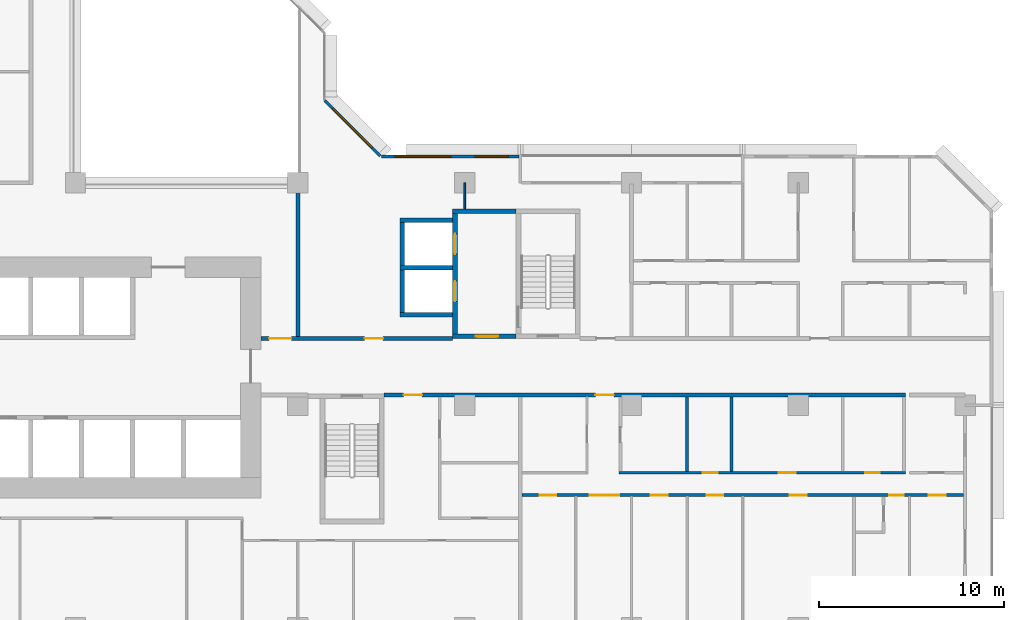
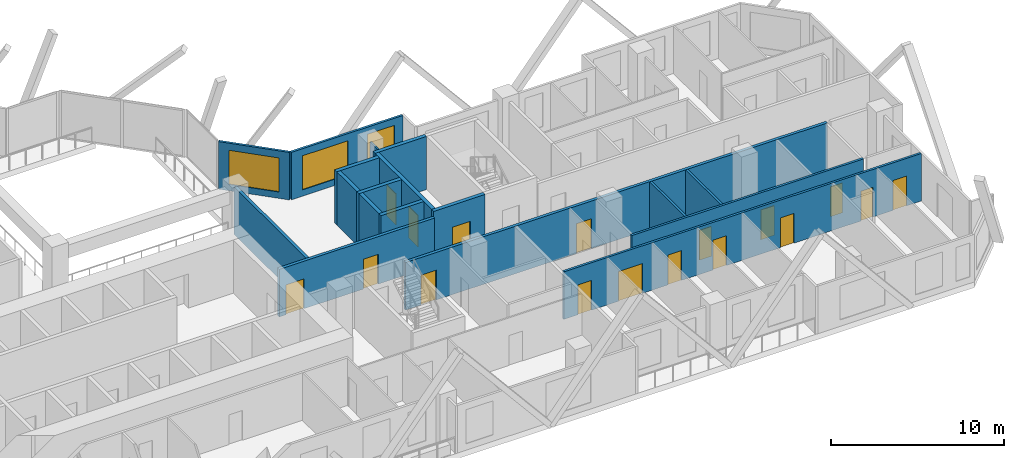
# One storey, part 7 of 16: 18 walls, 17 doors, 3 windows, 20 openings.
"""IFC4 building model written with IfcOpenShell, lengths in metres."""

from ifc_helpers import new_model, si_unit, direction, frame, frame_2d, origin, place, context, subcontext, project, spatial, rectangle, extrude, material, layer, layer_set, type_object, element, fill, save


model = new_model("IFC4")

# Units and contexts
model_context = context("Model", 3, precision=1e-05, world=origin(), true_north=direction((0.0, 1.0)))
body_context = subcontext(model_context, "Body", "Model", "MODEL_VIEW")
ifc_project = project(units=[si_unit("LENGTHUNIT", "METRE"), si_unit("AREAUNIT", "SQUARE_METRE"), si_unit("VOLUMEUNIT", "CUBIC_METRE"), si_unit("PLANEANGLEUNIT", "RADIAN"), si_unit("MASSUNIT", "GRAM", prefix="KILO")], contexts=[model_context])

# Site, building, storey
site_placement = place(None, origin())
site = spatial("IfcSite", under=ifc_project, at=site_placement, CompositionType="ELEMENT")
building_placement = place(site_placement, origin())
building = spatial("IfcBuilding", under=site, at=building_placement, Name="Chenar Terraces", CompositionType="ELEMENT")
storey_placement = place(building_placement, frame((0.0, 0.0, 78.89990234375)))
storey = spatial("IfcBuildingStorey", under=building, at=storey_placement, Name="L17", CompositionType="ELEMENT", Elevation=78.89990234375)

# Wall, opening, door
ifc_material_1 = material(Name="Concrete C70/85", Category="concrete")
ifc_layer_1 = layer(ifc_material_1, 0.25)
ifc_layer_set_1 = layer_set([ifc_layer_1], Name="Concrete C70/85")
wall_type_1 = type_object("IfcWallType", Name="Core wall 250 Concrete C70/85", PredefinedType="SHEAR", material=ifc_layer_set_1)
wall_1_placement = place(storey_placement, frame((44.35009765625, 15.72509765625, 0.0), z_axis=(0.0, 0.0, 1.0), x_axis=(1.0, 0.0, 0.0)))
wall_1 = element("IfcWall", 1, at=wall_1_placement, inside=storey, type_object=wall_type_1, Name="Core wall F3_LS L17", PredefinedType="SHEAR", context=body_context, shape_type="SweptSolid", body=[
    extrude(rectangle(XDim=3.4248046875, YDim=0.25, at=frame_2d((1.71240234375, 0.0))), origin(), (0.0, 0.0, 1.0), 3.75),
])
opening_1_placement = place(wall_1_placement, frame((1.25, 0.0, 0.0)))
opening_1 = element("IfcOpeningElement", 2, at=opening_1_placement, cuts=wall_1, Name="Opening DL17-C10", PredefinedType="OPENING", context=body_context, shape_type="SweptSolid", body=[
    extrude(rectangle(XDim=1.199951171875, YDim=2.199951171875, at=frame_2d((0.60009765625, 1.10009765625))), frame((0.0, 0.135009765625, 0.0), z_axis=(0.0, -1.0, 0.0), x_axis=(1.0, 0.0, 0.0)), (0.0, 0.0, 1.0), 0.27001953125),
])
ifc_material_2 = material(Name="Steel-framed fire-resisting door leaf", Category="steel")
door_type_1 = type_object("IfcDoorType", Name="Lobby fire door FD60 1200 x 2200", OperationType="SINGLE_SWING_LEFT", PredefinedType="DOOR", material=ifc_material_2)
door_1_placement = place(opening_1_placement, origin())
door_1 = element("IfcDoor", 3, at=door_1_placement, inside=storey, type_object=door_type_1, Name="Core door DL17-C10", OperationType="SINGLE_SWING_RIGHT", OverallHeight=2.199951171875, OverallWidth=1.199951171875, PredefinedType="DOOR", context=body_context, shape_type="SweptSolid", body=[
    extrude(rectangle(XDim=1.199951171875, YDim=2.199951171875, at=frame_2d((0.60009765625, 1.10009765625))), frame((0.0, 0.02490234375, 0.0), z_axis=(0.0, -1.0, 0.0), x_axis=(1.0, 0.0, 0.0)), (0.0, 0.0, 1.0), 0.050048828125),
])
fill(opening_1, door_1)

# Wall
wall_2_placement = place(storey_placement, frame((44.35009765625, 22.47509765625, 0.0), z_axis=(0.0, 0.0, 1.0), x_axis=(1.0, 0.0, 0.0)))
element("IfcWall", 4, at=wall_2_placement, inside=storey, type_object=wall_type_1, Name="Core wall F3_LN L17", PredefinedType="SHEAR", context=body_context, shape_type="SweptSolid", body=[
    extrude(rectangle(XDim=3.4248046875, YDim=0.25, at=frame_2d((1.71240234375, 0.0))), origin(), (0.0, 0.0, 1.0), 3.75),
])

# Wall, openings, doors
wall_3_placement = place(storey_placement, frame((44.47509765625, 15.85009765625, 0.0), z_axis=(0.0, 0.0, 1.0), x_axis=(0.0, 1.0, 0.0)))
wall_3 = element("IfcWall", 5, at=wall_3_placement, inside=storey, type_object=wall_type_1, Name="Core wall F3_LW L17", PredefinedType="SHEAR", context=body_context, shape_type="SweptSolid", body=[
    extrude(rectangle(XDim=6.5, YDim=0.25, at=frame_2d((3.25, 0.0))), origin(), (0.0, 0.0, 1.0), 3.75),
])
opening_2_placement = place(wall_3_placement, frame((1.75, 0.0, 0.0)))
opening_2 = element("IfcOpeningElement", 6, at=opening_2_placement, cuts=wall_3, Name="Opening DL17-LD8", PredefinedType="OPENING", context=body_context, shape_type="SweptSolid", body=[
    extrude(rectangle(XDim=1.10009765625, YDim=2.199951171875, at=frame_2d((0.550048828125, 1.10009765625))), frame((0.0, 0.135009765625, 0.0), z_axis=(0.0, -1.0, 0.0), x_axis=(1.0, 0.0, 0.0)), (0.0, 0.0, 1.0), 0.27001953125),
])
opening_3_placement = place(wall_3_placement, frame((4.300048828125, 0.0, 0.0)))
opening_3 = element("IfcOpeningElement", 7, at=opening_3_placement, cuts=wall_3, Name="Opening DL17-LD9", PredefinedType="OPENING", context=body_context, shape_type="SweptSolid", body=[
    extrude(rectangle(XDim=1.10009765625, YDim=2.199951171875, at=frame_2d((0.550048828125, 1.10009765625))), frame((0.0, 0.135009765625, 0.0), z_axis=(0.0, -1.0, 0.0), x_axis=(1.0, 0.0, 0.0)), (0.0, 0.0, 1.0), 0.27001953125),
])
ifc_material_3 = material(Name="Stainless steel", Category="steel")
door_type_2 = type_object("IfcDoorType", Name="Lift landing door 1100 x 2200 sliding", OperationType="DOUBLE_DOOR_SLIDING", PredefinedType="DOOR", material=ifc_material_3)
door_2_placement = place(opening_2_placement, origin())
door_2 = element("IfcDoor", 8, at=door_2_placement, inside=storey, type_object=door_type_2, Name="Landing door F3", OperationType="DOUBLE_DOOR_SLIDING", OverallHeight=2.199951171875, OverallWidth=1.10009765625, PredefinedType="DOOR", context=body_context, shape_type="SweptSolid", body=[
    extrude(rectangle(XDim=1.10009765625, YDim=2.199951171875, at=frame_2d((0.550048828125, 1.10009765625))), frame((0.0, 0.02490234375, 0.0), z_axis=(0.0, -1.0, 0.0), x_axis=(1.0, 0.0, 0.0)), (0.0, 0.0, 1.0), 0.050048828125),
])
fill(opening_2, door_2)
door_3_placement = place(opening_3_placement, origin())
door_3 = element("IfcDoor", 9, at=door_3_placement, inside=storey, type_object=door_type_2, Name="Landing door F4", OperationType="DOUBLE_DOOR_SLIDING", OverallHeight=2.199951171875, OverallWidth=1.10009765625, PredefinedType="DOOR", context=body_context, shape_type="SweptSolid", body=[
    extrude(rectangle(XDim=1.10009765625, YDim=2.199951171875, at=frame_2d((0.550048828125, 1.10009765625))), frame((0.0, 0.02490234375, 0.0), z_axis=(0.0, -1.0, 0.0), x_axis=(1.0, 0.0, 0.0)), (0.0, 0.0, 1.0), 0.050048828125),
])
fill(opening_3, door_3)

# Walls
for number, where, z_axis, x_axis, name in (
    (10, (41.5, 16.875, 0.0), (0.0, 0.0, 1.0), (1.0, 0.0, 0.0), "Core wall F3_SS L17"),
    (11, (41.5, 19.425048828125, 0.0), (0.0, 0.0, 1.0), (1.0, 0.0, 0.0), "Core wall F3_SM L17"),
    (12, (41.5, 21.97509765625, 0.0), (0.0, 0.0, 1.0), (1.0, 0.0, 0.0), "Core wall F4_SN L17"),
):
    element("IfcWall", number, at=place(storey_placement, frame(where, z_axis=z_axis, x_axis=x_axis)), inside=storey, type_object=wall_type_1, Name=name, PredefinedType="SHEAR", context=body_context, shape_type="SweptSolid", body=[
        extrude(rectangle(XDim=2.85009765625, YDim=0.25, at=frame_2d((1.425048828125, 0.0))), origin(), (0.0, 0.0, 1.0), 3.75),
    ])
for number, where, z_axis, x_axis, name in (
    (13, (41.625, 17.0, 0.0), (0.0, 0.0, 1.0), (0.0, 1.0, 0.0), "Core wall F3_SW L17"),
    (14, (41.625, 19.550048828125, 0.0), (0.0, 0.0, 1.0), (0.0, 1.0, 0.0), "Core wall F4_SW L17"),
):
    element("IfcWall", number, at=place(storey_placement, frame(where, z_axis=z_axis, x_axis=x_axis)), inside=storey, type_object=wall_type_1, Name=name, PredefinedType="SHEAR", context=body_context, shape_type="SweptSolid", body=[
        extrude(rectangle(XDim=2.300048828125, YDim=0.25, at=frame_2d((1.14990234375, 0.0))), origin(), (0.0, 0.0, 1.0), 3.75),
    ])

# Wall, openings, doors
ifc_material_4 = material(Name="Gypsum board on steel studs with fire boards", Category="steel")
ifc_layer_2 = layer(ifc_material_4, 0.199951171875)
ifc_layer_set_2 = layer_set([ifc_layer_2], Name="Gypsum board on steel studs with fire boards")
wall_type_2 = type_object("IfcWallType", Name="Corridor wall 200", PredefinedType="PARTITIONING", material=ifc_layer_set_2)
wall_4_placement = place(storey_placement, frame((34.0, 15.60009765625, 0.0), z_axis=(0.0, 0.0, 1.0), x_axis=(1.0, 0.0, 0.0)))
wall_4 = element("IfcWall", 15, at=wall_4_placement, inside=storey, type_object=wall_type_2, Name="Partition L17-063", PredefinedType="PARTITIONING", context=body_context, shape_type="SweptSolid", body=[
    extrude(rectangle(XDim=10.35009765625, YDim=0.199951171875, at=frame_2d((5.175048828125, 0.0))), origin(), (0.0, 0.0, 1.0), 3.35009765625),
])
opening_4_placement = place(wall_4_placement, frame((5.60009765625, 0.0, 0.0)))
opening_4 = element("IfcOpeningElement", 16, at=opening_4_placement, cuts=wall_4, Name="Opening DL17-3", PredefinedType="OPENING", context=body_context, shape_type="SweptSolid", body=[
    extrude(rectangle(XDim=1.0, YDim=2.10009765625, at=frame_2d((0.5, 1.050048828125))), frame((0.0, 0.10986328125, 0.0), z_axis=(0.0, -1.0, 0.0), x_axis=(1.0, 0.0, 0.0)), (0.0, 0.0, 1.0), 0.219970703125),
])
opening_5_placement = place(wall_4_placement, frame((0.449951171875, 0.0, 0.0)))
opening_5 = element("IfcOpeningElement", 17, at=opening_5_placement, cuts=wall_4, Name="Opening DL17-52", PredefinedType="OPENING", context=body_context, shape_type="SweptSolid", body=[
    extrude(rectangle(XDim=1.199951171875, YDim=2.10009765625, at=frame_2d((0.60009765625, 1.050048828125))), frame((0.0, 0.10986328125, 0.0), z_axis=(0.0, -1.0, 0.0), x_axis=(1.0, 0.0, 0.0)), (0.0, 0.0, 1.0), 0.219970703125),
])
ifc_material_5 = material(Name="Steel-framed fire-resisting door leaf", Category="steel")
door_type_3 = type_object("IfcDoorType", Name="Fire door FD60 1000 x 2100", OperationType="SINGLE_SWING_LEFT", PredefinedType="DOOR", material=ifc_material_5)
door_4_placement = place(opening_4_placement, origin())
door_4 = element("IfcDoor", 18, at=door_4_placement, inside=storey, type_object=door_type_3, Name="Door DL17-3", OperationType="SINGLE_SWING_RIGHT", OverallHeight=2.10009765625, OverallWidth=1.0, PredefinedType="DOOR", context=body_context, shape_type="SweptSolid", body=[
    extrude(rectangle(XDim=1.0, YDim=2.10009765625, at=frame_2d((0.5, 1.050048828125))), frame((0.0, 0.02490234375, 0.0), z_axis=(0.0, -1.0, 0.0), x_axis=(1.0, 0.0, 0.0)), (0.0, 0.0, 1.0), 0.050048828125),
])
fill(opening_4, door_4)
ifc_material_6 = material(Name="Steel-framed fire-resisting door leaf", Category="steel")
door_type_4 = type_object("IfcDoorType", Name="Fire door FD60 1200 x 2100", OperationType="SINGLE_SWING_LEFT", PredefinedType="DOOR", material=ifc_material_6)
door_5_placement = place(opening_5_placement, origin())
door_5 = element("IfcDoor", 19, at=door_5_placement, inside=storey, type_object=door_type_4, Name="Door DL17-52", OperationType="SINGLE_SWING_RIGHT", OverallHeight=2.10009765625, OverallWidth=1.199951171875, PredefinedType="DOOR", context=body_context, shape_type="SweptSolid", body=[
    extrude(rectangle(XDim=1.199951171875, YDim=2.10009765625, at=frame_2d((0.60009765625, 1.050048828125))), frame((0.0, 0.02490234375, 0.0), z_axis=(0.0, -1.0, 0.0), x_axis=(1.0, 0.0, 0.0)), (0.0, 0.0, 1.0), 0.050048828125),
])
fill(opening_5, door_5)

# Wall
wall_5_placement = place(storey_placement, frame((36.0, 15.699951171875, 0.0), z_axis=(0.0, 0.0, 1.0), x_axis=(0.0, 1.0, 0.0)))
element("IfcWall", 20, at=wall_5_placement, inside=storey, type_object=wall_type_2, Name="Partition L17-065", PredefinedType="PARTITIONING", context=body_context, shape_type="SweptSolid", body=[
    extrude(rectangle(XDim=8.300048828125, YDim=0.199951171875, at=frame_2d((4.14990234375, 0.0))), origin(), (0.0, 0.0, 1.0), 3.35009765625),
])

# Wall, openings, doors
wall_6_placement = place(storey_placement, frame((40.64990234375, 12.550048828125, 0.0), z_axis=(0.0, 0.0, 1.0), x_axis=(1.0, 0.0, 0.0)))
wall_6 = element("IfcWall", 21, at=wall_6_placement, inside=storey, type_object=wall_type_2, Name="Partition L17-067", PredefinedType="PARTITIONING", context=body_context, shape_type="SweptSolid", body=[
    extrude(rectangle(XDim=28.125, YDim=0.199951171875, at=frame_2d((14.0625, 0.0))), origin(), (0.0, 0.0, 1.0), 3.35009765625),
])
opening_6_placement = place(wall_6_placement, frame((11.39990234375, 0.0, 0.0)))
opening_6 = element("IfcOpeningElement", 22, at=opening_6_placement, cuts=wall_6, Name="Opening DL17-20", PredefinedType="OPENING", context=body_context, shape_type="SweptSolid", body=[
    extrude(rectangle(XDim=1.0, YDim=2.10009765625, at=frame_2d((0.5, 1.050048828125))), frame((0.0, 0.10986328125, 0.0), z_axis=(0.0, -1.0, 0.0), x_axis=(1.0, 0.0, 0.0)), (0.0, 0.0, 1.0), 0.219970703125),
])
opening_7_placement = place(wall_6_placement, frame((1.050048828125, 0.0, 0.0)))
opening_7 = element("IfcOpeningElement", 23, at=opening_7_placement, cuts=wall_6, Name="Opening DL17-66", PredefinedType="OPENING", context=body_context, shape_type="SweptSolid", body=[
    extrude(rectangle(XDim=1.0, YDim=2.10009765625, at=frame_2d((0.5, 1.050048828125))), frame((0.0, 0.10986328125, 0.0), z_axis=(0.0, -1.0, 0.0), x_axis=(1.0, 0.0, 0.0)), (0.0, 0.0, 1.0), 0.219970703125),
])
ifc_material_7 = material(Name="Steel-framed fire-resisting door leaf", Category="steel")
door_type_5 = type_object("IfcDoorType", Name="Fire door FD30S 1000 x 2100", OperationType="SINGLE_SWING_LEFT", PredefinedType="DOOR", material=ifc_material_7)
door_6_placement = place(opening_6_placement, frame((1.0, 0.0, 0.0), z_axis=(0.0, 0.0, 1.0), x_axis=(-1.0, 0.0, 0.0)))
door_6 = element("IfcDoor", 24, at=door_6_placement, inside=storey, type_object=door_type_5, Name="Door DL17-20", OperationType="SINGLE_SWING_LEFT", OverallHeight=2.10009765625, OverallWidth=1.0, PredefinedType="DOOR", context=body_context, shape_type="SweptSolid", body=[
    extrude(rectangle(XDim=1.0, YDim=2.10009765625, at=frame_2d((0.5, 1.050048828125))), frame((0.0, 0.02490234375, 0.0), z_axis=(0.0, -1.0, 0.0), x_axis=(1.0, 0.0, 0.0)), (0.0, 0.0, 1.0), 0.050048828125),
])
fill(opening_6, door_6)
door_7_placement = place(opening_7_placement, origin())
door_7 = element("IfcDoor", 25, at=door_7_placement, inside=storey, type_object=door_type_5, Name="Door DL17-66", OperationType="SINGLE_SWING_RIGHT", OverallHeight=2.10009765625, OverallWidth=1.0, PredefinedType="DOOR", context=body_context, shape_type="SweptSolid", body=[
    extrude(rectangle(XDim=1.0, YDim=2.10009765625, at=frame_2d((0.5, 1.050048828125))), frame((0.0, 0.02490234375, 0.0), z_axis=(0.0, -1.0, 0.0), x_axis=(1.0, 0.0, 0.0)), (0.0, 0.0, 1.0), 0.050048828125),
])
fill(opening_7, door_7)

# Wall, openings, windows
ifc_material_8 = material(Name="Aluminium framed glazing", Category="aluminium")
ifc_layer_3 = layer(ifc_material_8, 0.14990234375)
ifc_layer_set_3 = layer_set([ifc_layer_3], Name="Aluminium framed glazing")
wall_type_3 = type_object("IfcWallType", Name="Glazed flush facade wall 150", PredefinedType="SOLIDWALL", material=ifc_layer_set_3)
wall_7_placement = place(storey_placement, frame((47.925048828125, 25.425048828125, 0.0), z_axis=(0.0, 0.0, 1.0), x_axis=(-1.0, 0.0, 0.0)))
wall_7 = element("IfcWall", 26, at=wall_7_placement, inside=storey, type_object=wall_type_3, Name="Glazed flush facade wall", PredefinedType="SOLIDWALL", context=body_context, shape_type="SweptSolid", body=[
    extrude(rectangle(XDim=7.425048828125, YDim=0.14990234375, at=frame_2d((3.71240234375, 0.0))), origin(), (0.0, 0.0, 1.0), 3.35009765625),
])
opening_8_placement = place(wall_7_placement, frame((0.5625, 0.0, 0.449951171875)))
opening_8 = element("IfcOpeningElement", 27, at=opening_8_placement, cuts=wall_7, Name="Opening W180x240", PredefinedType="OPENING", context=body_context, shape_type="SweptSolid", body=[
    extrude(rectangle(XDim=1.800048828125, YDim=2.39990234375, at=frame_2d((0.89990234375, 1.199951171875))), frame((0.0, 0.0849609375, 0.0), z_axis=(0.0, -1.0, 0.0), x_axis=(1.0, 0.0, 0.0)), (0.0, 0.0, 1.0), 0.169921875),
])
opening_9_placement = place(wall_7_placement, frame((3.675048828125, 0.0, 0.449951171875)))
opening_9 = element("IfcOpeningElement", 28, at=opening_9_placement, cuts=wall_7, Name="Opening W300x240", PredefinedType="OPENING", context=body_context, shape_type="SweptSolid", body=[
    extrude(rectangle(XDim=3.0, YDim=2.39990234375, at=frame_2d((1.5, 1.199951171875))), frame((0.0, 0.0849609375, 0.0), z_axis=(0.0, -1.0, 0.0), x_axis=(1.0, 0.0, 0.0)), (0.0, 0.0, 1.0), 0.169921875),
])
ifc_material_9 = material(Name="Low emissivity double glazing, aluminium frame", Category="aluminium")
window_type_1 = type_object("IfcWindowType", Name="Fixed light 1800 x 2400", PartitioningType="SINGLE_PANEL", PredefinedType="WINDOW", material=ifc_material_9)
window_1_placement = place(opening_8_placement, origin())
window_1 = element("IfcWindow", 29, at=window_1_placement, inside=storey, type_object=window_type_1, Name="Window", OverallHeight=2.39990234375, OverallWidth=1.800048828125, PartitioningType="SINGLE_PANEL", PredefinedType="WINDOW", context=body_context, shape_type="SweptSolid", body=[
    extrude(rectangle(XDim=1.800048828125, YDim=2.39990234375, at=frame_2d((0.89990234375, 1.199951171875))), frame((0.0, 0.030029296875, 0.0), z_axis=(0.0, -1.0, 0.0), x_axis=(1.0, 0.0, 0.0)), (0.0, 0.0, 1.0), 0.06005859375),
])
fill(opening_8, window_1)
ifc_material_10 = material(Name="Low emissivity double glazing, aluminium frame", Category="aluminium")
window_type_2 = type_object("IfcWindowType", Name="Fixed light 3000 x 2400", PartitioningType="SINGLE_PANEL", PredefinedType="WINDOW", material=ifc_material_10)
window_2_placement = place(opening_9_placement, origin())
window_2 = element("IfcWindow", 30, at=window_2_placement, inside=storey, type_object=window_type_2, Name="Window", OverallHeight=2.39990234375, OverallWidth=3.0, PartitioningType="SINGLE_PANEL", PredefinedType="WINDOW", context=body_context, shape_type="SweptSolid", body=[
    extrude(rectangle(XDim=3.0, YDim=2.39990234375, at=frame_2d((1.5, 1.199951171875))), frame((0.0, 0.030029296875, 0.0), z_axis=(0.0, -1.0, 0.0), x_axis=(1.0, 0.0, 0.0)), (0.0, 0.0, 1.0), 0.06005859375),
])
fill(opening_9, window_2)

# Wall
ifc_material_11 = material(Name="Gypsum board on steel studs", Category="steel")
ifc_layer_4 = layer(ifc_material_11, 0.10009765625)
ifc_layer_set_4 = layer_set([ifc_layer_4], Name="Gypsum board on steel studs")
wall_type_4 = type_object("IfcWallType", Name="Gypsum partition 100", PredefinedType="PARTITIONING", material=ifc_layer_set_4)
wall_8_placement = place(storey_placement, frame((45.0, 22.60009765625, 0.0), z_axis=(0.0, 0.0, 1.0), x_axis=(0.0, 1.0, 0.0)))
element("IfcWall", 31, at=wall_8_placement, inside=storey, type_object=wall_type_4, Name="Partition L17-071", PredefinedType="PARTITIONING", context=body_context, shape_type="SweptSolid", body=[
    extrude(rectangle(XDim=1.39990234375, YDim=0.10009765625, at=frame_2d((0.699951171875, 0.0))), origin(), (0.0, 0.0, 1.0), 3.35009765625),
])

# Wall, opening, window
ifc_material_12 = material(Name="Terracotta cladding on insulated backing", Category="masonry")
ifc_layer_5 = layer(ifc_material_12, 0.14990234375)
ifc_layer_set_5 = layer_set([ifc_layer_5], Name="Terracotta cladding on insulated backing")
wall_type_5 = type_object("IfcWallType", Name="Terracotta rainscreen wall 150", PredefinedType="SOLIDWALL", material=ifc_layer_set_5)
wall_9_placement = place(storey_placement, frame((40.447021484375, 25.447021484375, 0.0), z_axis=(0.0, 0.0, 1.0), x_axis=(-0.707106781187, 0.707106781187, 0.0)))
wall_9 = element("IfcWall", 32, at=wall_9_placement, inside=storey, type_object=wall_type_5, Name="Terracotta rainscreen wall", PredefinedType="SOLIDWALL", context=body_context, shape_type="SweptSolid", body=[
    extrude(rectangle(XDim=4.24267578125, YDim=0.14990234375, at=frame_2d((2.121337890625, 0.0))), origin(), (0.0, 0.0, 1.0), 3.35009765625),
])
opening_10_placement = place(wall_9_placement, frame((0.621337890625, 0.0, 0.449951171875)))
opening_10 = element("IfcOpeningElement", 33, at=opening_10_placement, cuts=wall_9, Name="Opening W300x240", PredefinedType="OPENING", context=body_context, shape_type="SweptSolid", body=[
    extrude(rectangle(XDim=3.0, YDim=2.39990234375, at=frame_2d((1.5, 1.199951171875))), frame((0.0, 0.0849609375, 0.0), z_axis=(0.0, -1.0, 0.0), x_axis=(1.0, 0.0, 0.0)), (0.0, 0.0, 1.0), 0.169921875),
])
window_3_placement = place(opening_10_placement, origin())
window_3 = element("IfcWindow", 34, at=window_3_placement, inside=storey, type_object=window_type_2, Name="Window", OverallHeight=2.39990234375, OverallWidth=3.0, PartitioningType="SINGLE_PANEL", PredefinedType="WINDOW", context=body_context, shape_type="SweptSolid", body=[
    extrude(rectangle(XDim=3.0, YDim=2.39990234375, at=frame_2d((1.5, 1.199951171875))), frame((0.0, 0.030029296875, 0.0), z_axis=(0.0, -1.0, 0.0), x_axis=(1.0, 0.0, 0.0)), (0.0, 0.0, 1.0), 0.06005859375),
])
fill(opening_10, window_3)

# Wall, openings, doors
ifc_material_13 = material(Name="Moisture-resistant gypsum board on steel studs", Category="steel")
ifc_layer_6 = layer(ifc_material_13, 0.14990234375)
ifc_layer_set_6 = layer_set([ifc_layer_6], Name="Moisture-resistant gypsum board on steel studs")
wall_type_6 = type_object("IfcWallType", Name="Wet-room partition 150", PredefinedType="PARTITIONING", material=ifc_layer_set_6)
wall_10_placement = place(storey_placement, frame((48.10009765625, 7.14990234375, 0.0), z_axis=(0.0, 0.0, 1.0), x_axis=(1.0, 0.0, 0.0)))
wall_10 = element("IfcWall", 35, at=wall_10_placement, inside=storey, type_object=wall_type_6, Name="Partition L17-073", PredefinedType="PARTITIONING", context=body_context, shape_type="SweptSolid", body=[
    extrude(rectangle(XDim=23.825927734375, YDim=0.14990234375, at=frame_2d((11.9130859375, 0.0))), origin(), (0.0, 0.0, 1.0), 3.35009765625),
])
opening_11_placement = place(wall_10_placement, frame((0.949951171875, 0.0, 0.0)))
opening_11 = element("IfcOpeningElement", 36, at=opening_11_placement, cuts=wall_10, Name="Opening DL17-16", PredefinedType="OPENING", context=body_context, shape_type="SweptSolid", body=[
    extrude(rectangle(XDim=0.89990234375, YDim=2.10009765625, at=frame_2d((0.449951171875, 1.050048828125))), frame((0.0, 0.0849609375, 0.0), z_axis=(0.0, -1.0, 0.0), x_axis=(1.0, 0.0, 0.0)), (0.0, 0.0, 1.0), 0.169921875),
])
opening_12_placement = place(wall_10_placement, frame((6.949951171875, 0.0, 0.0)))
opening_12 = element("IfcOpeningElement", 37, at=opening_12_placement, cuts=wall_10, Name="Opening DL17-17", PredefinedType="OPENING", context=body_context, shape_type="SweptSolid", body=[
    extrude(rectangle(XDim=0.89990234375, YDim=2.10009765625, at=frame_2d((0.449951171875, 1.050048828125))), frame((0.0, 0.0849609375, 0.0), z_axis=(0.0, -1.0, 0.0), x_axis=(1.0, 0.0, 0.0)), (0.0, 0.0, 1.0), 0.169921875),
])
opening_13_placement = place(wall_10_placement, frame((21.949951171875, 0.0, 0.0)))
opening_13 = element("IfcOpeningElement", 38, at=opening_13_placement, cuts=wall_10, Name="Opening DL17-18", PredefinedType="OPENING", context=body_context, shape_type="SweptSolid", body=[
    extrude(rectangle(XDim=0.89990234375, YDim=2.10009765625, at=frame_2d((0.449951171875, 1.050048828125))), frame((0.0, 0.0849609375, 0.0), z_axis=(0.0, -1.0, 0.0), x_axis=(1.0, 0.0, 0.0)), (0.0, 0.0, 1.0), 0.169921875),
])
opening_14_placement = place(wall_10_placement, frame((14.449951171875, 0.0, 0.0)))
opening_14 = element("IfcOpeningElement", 39, at=opening_14_placement, cuts=wall_10, Name="Opening DL17-24", PredefinedType="OPENING", context=body_context, shape_type="SweptSolid", body=[
    extrude(rectangle(XDim=0.89990234375, YDim=2.10009765625, at=frame_2d((0.449951171875, 1.050048828125))), frame((0.0, 0.0849609375, 0.0), z_axis=(0.0, -1.0, 0.0), x_axis=(1.0, 0.0, 0.0)), (0.0, 0.0, 1.0), 0.169921875),
])
opening_15_placement = place(wall_10_placement, frame((19.800048828125, 0.0, 0.0)))
opening_15 = element("IfcOpeningElement", 40, at=opening_15_placement, cuts=wall_10, Name="Opening DL17-25", PredefinedType="OPENING", context=body_context, shape_type="SweptSolid", body=[
    extrude(rectangle(XDim=0.800048828125, YDim=2.10009765625, at=frame_2d((0.39990234375, 1.050048828125))), frame((0.0, 0.0849609375, 0.0), z_axis=(0.0, -1.0, 0.0), x_axis=(1.0, 0.0, 0.0)), (0.0, 0.0, 1.0), 0.169921875),
])
opening_16_placement = place(wall_10_placement, frame((3.64990234375, 0.0, 0.0)))
opening_16 = element("IfcOpeningElement", 41, at=opening_16_placement, cuts=wall_10, Name="Opening DL17-27", PredefinedType="OPENING", context=body_context, shape_type="SweptSolid", body=[
    extrude(rectangle(XDim=1.60009765625, YDim=2.10009765625, at=frame_2d((0.800048828125, 1.050048828125))), frame((0.0, 0.0849609375, 0.0), z_axis=(0.0, -1.0, 0.0), x_axis=(1.0, 0.0, 0.0)), (0.0, 0.0, 1.0), 0.169921875),
])
opening_17_placement = place(wall_10_placement, frame((9.949951171875, 0.0, 0.0)))
opening_17 = element("IfcOpeningElement", 42, at=opening_17_placement, cuts=wall_10, Name="Opening DL17-28", PredefinedType="OPENING", context=body_context, shape_type="SweptSolid", body=[
    extrude(rectangle(XDim=0.89990234375, YDim=2.10009765625, at=frame_2d((0.449951171875, 1.050048828125))), frame((0.0, 0.0849609375, 0.0), z_axis=(0.0, -1.0, 0.0), x_axis=(1.0, 0.0, 0.0)), (0.0, 0.0, 1.0), 0.169921875),
])
ifc_material_14 = material(Name="Veneered timber door leaf", Category="wood")
door_type_6 = type_object("IfcDoorType", Name="Door 800 x 2100", OperationType="SINGLE_SWING_LEFT", PredefinedType="DOOR", material=ifc_material_14)
door_8_placement = place(opening_15_placement, frame((0.800048828125, 0.0, 0.0), z_axis=(0.0, 0.0, 1.0), x_axis=(-1.0, 0.0, 0.0)))
door_8 = element("IfcDoor", 43, at=door_8_placement, inside=storey, type_object=door_type_6, Name="Door DL17-25", OperationType="SINGLE_SWING_LEFT", OverallHeight=2.10009765625, OverallWidth=0.800048828125, PredefinedType="DOOR", context=body_context, shape_type="SweptSolid", body=[
    extrude(rectangle(XDim=0.800048828125, YDim=2.10009765625, at=frame_2d((0.39990234375, 1.050048828125))), frame((0.0, 0.02490234375, 0.0), z_axis=(0.0, -1.0, 0.0), x_axis=(1.0, 0.0, 0.0)), (0.0, 0.0, 1.0), 0.050048828125),
])
fill(opening_15, door_8)
ifc_material_15 = material(Name="Veneered timber door leaf", Category="wood")
door_type_7 = type_object("IfcDoorType", Name="Door 900 x 2100", OperationType="SINGLE_SWING_LEFT", PredefinedType="DOOR", material=ifc_material_15)
door_9_placement = place(opening_11_placement, frame((0.89990234375, 0.0, 0.0), z_axis=(0.0, 0.0, 1.0), x_axis=(-1.0, 0.0, 0.0)))
door_9 = element("IfcDoor", 44, at=door_9_placement, inside=storey, type_object=door_type_7, Name="Door DL17-16", OperationType="SINGLE_SWING_LEFT", OverallHeight=2.10009765625, OverallWidth=0.89990234375, PredefinedType="DOOR", context=body_context, shape_type="SweptSolid", body=[
    extrude(rectangle(XDim=0.89990234375, YDim=2.10009765625, at=frame_2d((0.449951171875, 1.050048828125))), frame((0.0, 0.02490234375, 0.0), z_axis=(0.0, -1.0, 0.0), x_axis=(1.0, 0.0, 0.0)), (0.0, 0.0, 1.0), 0.050048828125),
])
fill(opening_11, door_9)
door_10_placement = place(opening_12_placement, frame((0.89990234375, 0.0, 0.0), z_axis=(0.0, 0.0, 1.0), x_axis=(-1.0, 0.0, 0.0)))
door_10 = element("IfcDoor", 45, at=door_10_placement, inside=storey, type_object=door_type_7, Name="Door DL17-17", OperationType="SINGLE_SWING_LEFT", OverallHeight=2.10009765625, OverallWidth=0.89990234375, PredefinedType="DOOR", context=body_context, shape_type="SweptSolid", body=[
    extrude(rectangle(XDim=0.89990234375, YDim=2.10009765625, at=frame_2d((0.449951171875, 1.050048828125))), frame((0.0, 0.02490234375, 0.0), z_axis=(0.0, -1.0, 0.0), x_axis=(1.0, 0.0, 0.0)), (0.0, 0.0, 1.0), 0.050048828125),
])
fill(opening_12, door_10)
door_11_placement = place(opening_13_placement, frame((0.89990234375, 0.0, 0.0), z_axis=(0.0, 0.0, 1.0), x_axis=(-1.0, 0.0, 0.0)))
door_11 = element("IfcDoor", 46, at=door_11_placement, inside=storey, type_object=door_type_7, Name="Door DL17-18", OperationType="SINGLE_SWING_LEFT", OverallHeight=2.10009765625, OverallWidth=0.89990234375, PredefinedType="DOOR", context=body_context, shape_type="SweptSolid", body=[
    extrude(rectangle(XDim=0.89990234375, YDim=2.10009765625, at=frame_2d((0.449951171875, 1.050048828125))), frame((0.0, 0.02490234375, 0.0), z_axis=(0.0, -1.0, 0.0), x_axis=(1.0, 0.0, 0.0)), (0.0, 0.0, 1.0), 0.050048828125),
])
fill(opening_13, door_11)
door_12_placement = place(opening_14_placement, origin())
door_12 = element("IfcDoor", 47, at=door_12_placement, inside=storey, type_object=door_type_7, Name="Door DL17-24", OperationType="SINGLE_SWING_RIGHT", OverallHeight=2.10009765625, OverallWidth=0.89990234375, PredefinedType="DOOR", context=body_context, shape_type="SweptSolid", body=[
    extrude(rectangle(XDim=0.89990234375, YDim=2.10009765625, at=frame_2d((0.449951171875, 1.050048828125))), frame((0.0, 0.02490234375, 0.0), z_axis=(0.0, -1.0, 0.0), x_axis=(1.0, 0.0, 0.0)), (0.0, 0.0, 1.0), 0.050048828125),
])
fill(opening_14, door_12)
door_13_placement = place(opening_17_placement, frame((0.89990234375, 0.0, 0.0), z_axis=(0.0, 0.0, 1.0), x_axis=(-1.0, 0.0, 0.0)))
door_13 = element("IfcDoor", 48, at=door_13_placement, inside=storey, type_object=door_type_7, Name="Door DL17-28", OperationType="SINGLE_SWING_LEFT", OverallHeight=2.10009765625, OverallWidth=0.89990234375, PredefinedType="DOOR", context=body_context, shape_type="SweptSolid", body=[
    extrude(rectangle(XDim=0.89990234375, YDim=2.10009765625, at=frame_2d((0.449951171875, 1.050048828125))), frame((0.0, 0.02490234375, 0.0), z_axis=(0.0, -1.0, 0.0), x_axis=(1.0, 0.0, 0.0)), (0.0, 0.0, 1.0), 0.050048828125),
])
fill(opening_17, door_13)
ifc_material_16 = material(Name="Veneered timber door leaf", Category="wood")
door_type_8 = type_object("IfcDoorType", Name="Double door 1600 x 2100", OperationType="DOUBLE_DOOR_SINGLE_SWING", PredefinedType="DOOR", material=ifc_material_16)
door_14_placement = place(opening_16_placement, frame((1.60009765625, 0.0, 0.0), z_axis=(0.0, 0.0, 1.0), x_axis=(-1.0, 0.0, 0.0)))
door_14 = element("IfcDoor", 49, at=door_14_placement, inside=storey, type_object=door_type_8, Name="Door DL17-27", OperationType="DOUBLE_DOOR_SINGLE_SWING", OverallHeight=2.10009765625, OverallWidth=1.60009765625, PredefinedType="DOOR", context=body_context, shape_type="SweptSolid", body=[
    extrude(rectangle(XDim=1.60009765625, YDim=2.10009765625, at=frame_2d((0.800048828125, 1.050048828125))), frame((0.0, 0.02490234375, 0.0), z_axis=(0.0, -1.0, 0.0), x_axis=(1.0, 0.0, 0.0)), (0.0, 0.0, 1.0), 0.050048828125),
])
fill(opening_16, door_14)

wall_11_placement = place(storey_placement, frame((53.324951171875, 8.35009765625, 0.0), z_axis=(0.0, 0.0, 1.0), x_axis=(1.0, 0.0, 0.0)))
wall_11 = element("IfcWall", 50, at=wall_11_placement, inside=storey, type_object=wall_type_6, Name="Partition L17-078", PredefinedType="PARTITIONING", context=body_context, shape_type="SweptSolid", body=[
    extrude(rectangle(XDim=15.449951171875, YDim=0.14990234375, at=frame_2d((7.72509765625, 0.0))), origin(), (0.0, 0.0, 1.0), 3.35009765625),
])
opening_18_placement = place(wall_11_placement, frame((13.27490234375, 0.0, 0.0)))
opening_18 = element("IfcOpeningElement", 51, at=opening_18_placement, cuts=wall_11, Name="Opening DL17-15", PredefinedType="OPENING", context=body_context, shape_type="SweptSolid", body=[
    extrude(rectangle(XDim=0.800048828125, YDim=2.10009765625, at=frame_2d((0.39990234375, 1.050048828125))), frame((0.0, 0.0849609375, 0.0), z_axis=(0.0, -1.0, 0.0), x_axis=(1.0, 0.0, 0.0)), (0.0, 0.0, 1.0), 0.169921875),
])
opening_19_placement = place(wall_11_placement, frame((8.625, 0.0, 0.0)))
opening_19 = element("IfcOpeningElement", 52, at=opening_19_placement, cuts=wall_11, Name="Opening DL17-21", PredefinedType="OPENING", context=body_context, shape_type="SweptSolid", body=[
    extrude(rectangle(XDim=0.89990234375, YDim=2.10009765625, at=frame_2d((0.449951171875, 1.050048828125))), frame((0.0, 0.0849609375, 0.0), z_axis=(0.0, -1.0, 0.0), x_axis=(1.0, 0.0, 0.0)), (0.0, 0.0, 1.0), 0.169921875),
])
opening_20_placement = place(wall_11_placement, frame((4.52490234375, 0.0, 0.0)))
opening_20 = element("IfcOpeningElement", 53, at=opening_20_placement, cuts=wall_11, Name="Opening DL17-22", PredefinedType="OPENING", context=body_context, shape_type="SweptSolid", body=[
    extrude(rectangle(XDim=0.800048828125, YDim=2.10009765625, at=frame_2d((0.39990234375, 1.050048828125))), frame((0.0, 0.0849609375, 0.0), z_axis=(0.0, -1.0, 0.0), x_axis=(1.0, 0.0, 0.0)), (0.0, 0.0, 1.0), 0.169921875),
])
door_15_placement = place(opening_18_placement, origin())
door_15 = element("IfcDoor", 54, at=door_15_placement, inside=storey, type_object=door_type_6, Name="Door DL17-15", OperationType="SINGLE_SWING_LEFT", OverallHeight=2.10009765625, OverallWidth=0.800048828125, PredefinedType="DOOR", context=body_context, shape_type="SweptSolid", body=[
    extrude(rectangle(XDim=0.800048828125, YDim=2.10009765625, at=frame_2d((0.39990234375, 1.050048828125))), frame((0.0, 0.02490234375, 0.0), z_axis=(0.0, -1.0, 0.0), x_axis=(1.0, 0.0, 0.0)), (0.0, 0.0, 1.0), 0.050048828125),
])
fill(opening_18, door_15)
door_16_placement = place(opening_20_placement, origin())
door_16 = element("IfcDoor", 55, at=door_16_placement, inside=storey, type_object=door_type_6, Name="Door DL17-22", OperationType="SINGLE_SWING_RIGHT", OverallHeight=2.10009765625, OverallWidth=0.800048828125, PredefinedType="DOOR", context=body_context, shape_type="SweptSolid", body=[
    extrude(rectangle(XDim=0.800048828125, YDim=2.10009765625, at=frame_2d((0.39990234375, 1.050048828125))), frame((0.0, 0.02490234375, 0.0), z_axis=(0.0, -1.0, 0.0), x_axis=(1.0, 0.0, 0.0)), (0.0, 0.0, 1.0), 0.050048828125),
])
fill(opening_20, door_16)
door_17_placement = place(opening_19_placement, origin())
door_17 = element("IfcDoor", 56, at=door_17_placement, inside=storey, type_object=door_type_7, Name="Door DL17-21", OperationType="SINGLE_SWING_RIGHT", OverallHeight=2.10009765625, OverallWidth=0.89990234375, PredefinedType="DOOR", context=body_context, shape_type="SweptSolid", body=[
    extrude(rectangle(XDim=0.89990234375, YDim=2.10009765625, at=frame_2d((0.449951171875, 1.050048828125))), frame((0.0, 0.02490234375, 0.0), z_axis=(0.0, -1.0, 0.0), x_axis=(1.0, 0.0, 0.0)), (0.0, 0.0, 1.0), 0.050048828125),
])
fill(opening_19, door_17)

# Walls
for number, where, z_axis, x_axis, name in (
    (57, (57.0, 8.425048828125, 0.0), (0.0, 0.0, 1.0), (0.0, 1.0, 0.0), "Partition L17-086"),
    (58, (59.39990234375, 8.425048828125, 0.0), (0.0, 0.0, 1.0), (0.0, 1.0, 0.0), "Partition L17-089"),
):
    element("IfcWall", number, at=place(storey_placement, frame(where, z_axis=z_axis, x_axis=x_axis)), inside=storey, type_object=wall_type_6, Name=name, PredefinedType="PARTITIONING", context=body_context, shape_type="SweptSolid", body=[
        extrude(rectangle(XDim=4.02490234375, YDim=0.14990234375, at=frame_2d((2.012451171875, 0.0))), origin(), (0.0, 0.0, 1.0), 3.35009765625),
    ])

save(model, "model.ifc")
